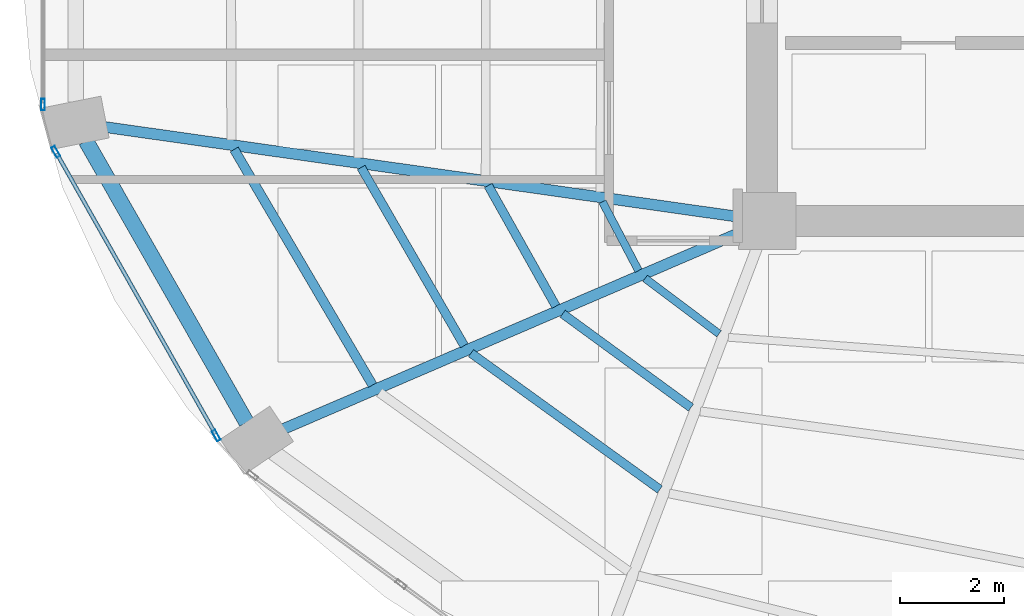
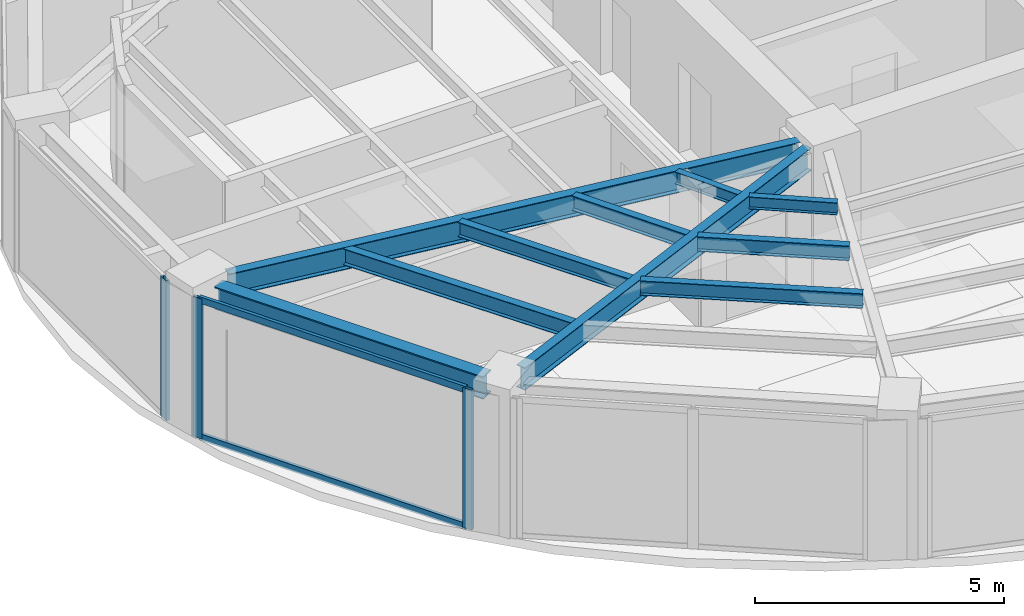
# One storey, part 3 of 20: 10 beams, 5 members, 2 elements without a shape of their own.
"""IFC4 building model written with IfcOpenShell, lengths in metres."""

from ifc_helpers import new_model, si_unit, direction, frame, origin, origin_2d, place, context, subcontext, project, spatial, hollow_rectangle, i_section, extrude, material, layer, layer_set, material_profile, profile_set, type_object, element, aggregate, save


model = new_model("IFC4")

# Units and contexts
model_context = context("Model", 3, precision=1e-05, world=origin(), true_north=direction((0.0, 1.0)))
body_context = subcontext(model_context, "Body", "Model", "MODEL_VIEW")
ifc_project = project(units=[si_unit("LENGTHUNIT", "METRE"), si_unit("AREAUNIT", "SQUARE_METRE"), si_unit("VOLUMEUNIT", "CUBIC_METRE"), si_unit("PLANEANGLEUNIT", "RADIAN"), si_unit("MASSUNIT", "GRAM", prefix="KILO")], contexts=[model_context])

# Site, building, storey
site_placement = place(None, origin())
site = spatial("IfcSite", under=ifc_project, at=site_placement, CompositionType="ELEMENT")
building_placement = place(site_placement, origin())
building = spatial("IfcBuilding", under=site, at=building_placement, Name="Lazwardi Medical Tower", CompositionType="ELEMENT")
storey_placement = place(building_placement, frame((0.0, 0.0, 178.416015625)))
storey = spatial("IfcBuildingStorey", under=building, at=storey_placement, Name="L46", CompositionType="ELEMENT", Elevation=178.416015625)

# Beams
ifc_material_1 = material(Name="Steel S355", Category="steel")
ifc_material_profile_1 = material_profile(ifc_material_1, i_section(OverallWidth=0.300048828125, OverallDepth=0.550048828125, WebThickness=0.014892578125, FlangeThickness=0.029052734375, at=origin_2d()), Name="HEB 550")
ifc_profile_set_1 = profile_set([ifc_material_profile_1], Name="Steel S355")
beam_type_1 = type_object("IfcBeamType", Name="BM-RB-Z3", PredefinedType="BEAM", material=ifc_profile_set_1)
beam_1_placement = place(storey_placement, frame((13.272216796875, 21.94091796875, 3.153076171875), z_axis=(0.495460926326, -0.868630226554, 0.0), x_axis=(0.868630226554, 0.495460926326, 0.0)))
element("IfcBeam", 1, at=beam_1_placement, inside=storey, type_object=beam_type_1, Name="Ring beam RB-04 B13 L46", PredefinedType="BEAM", context=body_context, shape_type="SweptSolid", body=[
    extrude(i_section(OverallWidth=0.300048828125, OverallDepth=0.550048828125, WebThickness=0.014892578125, FlangeThickness=0.029052734375, at=origin_2d()), origin(), (0.0, 0.0, 1.0), 6.24462890625),
])
ifc_material_profile_2 = material_profile(ifc_material_1, i_section(OverallWidth=0.2099609375, OverallDepth=0.550048828125, WebThickness=0.010986328125, FlangeThickness=0.01708984375, at=origin_2d()), Name="IPE 550")
ifc_profile_set_2 = profile_set([ifc_material_profile_2], Name="Steel S355")
beam_type_2 = type_object("IfcBeamType", Name="BM-RG-W2", PredefinedType="BEAM", material=ifc_profile_set_2)
beam_2_placement = place(storey_placement, frame((13.628662109375, 22.209716796875, 3.153076171875), z_axis=(0.99010958763, -0.140296131389, 0.0), x_axis=(0.140296131389, 0.99010958763, 0.0)))
element("IfcBeam", 2, at=beam_2_placement, inside=storey, type_object=beam_type_2, Name="Radial girder RG-03 R13 L46", PredefinedType="BEAM", context=body_context, shape_type="SweptSolid", body=[
    extrude(i_section(OverallWidth=0.2099609375, OverallDepth=0.550048828125, WebThickness=0.010986328125, FlangeThickness=0.01708984375, at=origin_2d()), origin(), (0.0, 0.0, 1.0), 12.364013671875),
])
beam_3_placement = place(storey_placement, frame((17.078857421875, 16.390380859375, 3.153076171875), z_axis=(0.918608156288, 0.395169653695, 0.0), x_axis=(-0.395169653695, 0.918608156288, 0.0)))
element("IfcBeam", 3, at=beam_3_placement, inside=storey, type_object=beam_type_2, Name="Radial girder RG-03 R14 L46", PredefinedType="BEAM", context=body_context, shape_type="SweptSolid", body=[
    extrude(i_section(OverallWidth=0.2099609375, OverallDepth=0.550048828125, WebThickness=0.010986328125, FlangeThickness=0.01708984375, at=origin_2d()), origin(), (0.0, 0.0, 1.0), 9.61181640625),
])
ifc_material_profile_3 = material_profile(ifc_material_1, i_section(OverallWidth=0.179931640625, OverallDepth=0.39990234375, WebThickness=0.008544921875, FlangeThickness=0.013427734375, at=origin_2d()), Name="IPE 400")
ifc_profile_set_3 = profile_set([ifc_material_profile_3], Name="Steel S355")
beam_type_3 = type_object("IfcBeamType", Name="BM-SJ-01", PredefinedType="JOIST", material=ifc_profile_set_3)
beam_4_placement = place(storey_placement, frame((16.127685546875, 21.776611328125, 3.22802734375), z_axis=(0.506420212881, -0.862286824662, 0.0), x_axis=(0.862286824662, 0.506420212881, 0.0)))
element("IfcBeam", 4, at=beam_4_placement, inside=storey, type_object=beam_type_3, Name="Secondary joist SJ-01 R1 B13 L46", PredefinedType="JOIST", context=body_context, shape_type="SweptSolid", body=[
    extrude(i_section(OverallWidth=0.179931640625, OverallDepth=0.39990234375, WebThickness=0.008544921875, FlangeThickness=0.013427734375, at=origin_2d()), origin(), (0.0, 0.0, 1.0), 5.265380859375),
])
ifc_material_profile_4 = material_profile(ifc_material_1, i_section(OverallWidth=0.169921875, OverallDepth=0.360107421875, WebThickness=0.008056640625, FlangeThickness=0.0126953125, at=origin_2d()), Name="IPE 360")
ifc_profile_set_4 = profile_set([ifc_material_profile_4], Name="Steel S355")
beam_type_4 = type_object("IfcBeamType", Name="BM-SJ-02", PredefinedType="JOIST", material=ifc_profile_set_4)
beam_5_placement = place(storey_placement, frame((18.5751953125, 21.42919921875, 3.248046875), z_axis=(0.500640648605, -0.865655209055, 0.0), x_axis=(0.865655209055, 0.500640648605, 0.0)))
element("IfcBeam", 5, at=beam_5_placement, inside=storey, type_object=beam_type_4, Name="Secondary joist SJ-02 R2 B13 L46", PredefinedType="JOIST", context=body_context, shape_type="SweptSolid", body=[
    extrude(i_section(OverallWidth=0.169921875, OverallDepth=0.360107421875, WebThickness=0.008056640625, FlangeThickness=0.0126953125, at=origin_2d()), origin(), (0.0, 0.0, 1.0), 3.965576171875),
])
beam_6_placement = place(storey_placement, frame((20.69189453125, 17.851318359375, 3.248046875), z_axis=(0.810738039179, -0.585409114917, 0.0), x_axis=(0.585409114917, 0.810738039179, 0.0)))
element("IfcBeam", 6, at=beam_6_placement, inside=storey, type_object=beam_type_4, Name="Secondary joist SJ-02 R2 B14 L46", PredefinedType="JOIST", context=body_context, shape_type="SweptSolid", body=[
    extrude(i_section(OverallWidth=0.169921875, OverallDepth=0.360107421875, WebThickness=0.008056640625, FlangeThickness=0.0126953125, at=origin_2d()), origin(), (0.0, 0.0, 1.0), 4.48779296875),
])
beam_7_placement = place(storey_placement, frame((21.022705078125, 21.081787109375, 3.248046875), z_axis=(0.489408945026, -0.872054404569, 0.0), x_axis=(0.872054404569, 0.489408945026, 0.0)))
element("IfcBeam", 7, at=beam_7_placement, inside=storey, type_object=beam_type_4, Name="Secondary joist SJ-02 R3 B13 L46", PredefinedType="JOIST", context=body_context, shape_type="SweptSolid", body=[
    extrude(i_section(OverallWidth=0.169921875, OverallDepth=0.360107421875, WebThickness=0.008056640625, FlangeThickness=0.0126953125, at=origin_2d()), origin(), (0.0, 0.0, 1.0), 2.666259765625),
])
beam_8_placement = place(storey_placement, frame((22.45751953125, 18.6103515625, 3.248046875), z_axis=(0.807285959008, -0.590160470033, 0.0), x_axis=(0.590160470033, 0.807285959008, 0.0)))
element("IfcBeam", 8, at=beam_8_placement, inside=storey, type_object=beam_type_4, Name="Secondary joist SJ-02 R3 B14 L46", PredefinedType="JOIST", context=body_context, shape_type="SweptSolid", body=[
    extrude(i_section(OverallWidth=0.169921875, OverallDepth=0.360107421875, WebThickness=0.008056640625, FlangeThickness=0.0126953125, at=origin_2d()), origin(), (0.0, 0.0, 1.0), 3.06298828125),
])
ifc_material_profile_5 = material_profile(ifc_material_1, i_section(OverallWidth=0.14990234375, OverallDepth=0.300048828125, WebThickness=0.007080078125, FlangeThickness=0.0107421875, at=origin_2d()), Name="IPE 300")
ifc_profile_set_5 = profile_set([ifc_material_profile_5], Name="Steel S355")
beam_type_5 = type_object("IfcBeamType", Name="BM-SJ-03", PredefinedType="JOIST", material=ifc_profile_set_5)
beam_9_placement = place(storey_placement, frame((23.2236328125, 20.768310546875, 3.278076171875), z_axis=(0.464469748171, -0.885588986513, 0.0), x_axis=(0.885588986513, 0.464469748171, 0.0)))
element("IfcBeam", 9, at=beam_9_placement, inside=storey, type_object=beam_type_5, Name="Secondary joist SJ-03 R4 B13 L46", PredefinedType="JOIST", context=body_context, shape_type="SweptSolid", body=[
    extrude(i_section(OverallWidth=0.14990234375, OverallDepth=0.300048828125, WebThickness=0.007080078125, FlangeThickness=0.0107421875, at=origin_2d()), origin(), (0.0, 0.0, 1.0), 1.498046875),
])
beam_10_placement = place(storey_placement, frame((24.0458984375, 19.29296875, 3.278076171875), z_axis=(0.799884834751, -0.600153522972, 0.0), x_axis=(0.600153522972, 0.799884834751, 0.0)))
element("IfcBeam", 10, at=beam_10_placement, inside=storey, type_object=beam_type_5, Name="Secondary joist SJ-03 R4 B14 L46", PredefinedType="JOIST", context=body_context, shape_type="SweptSolid", body=[
    extrude(i_section(OverallWidth=0.14990234375, OverallDepth=0.300048828125, WebThickness=0.007080078125, FlangeThickness=0.0107421875, at=origin_2d()), origin(), (0.0, 0.0, 1.0), 1.781005859375),
])

# Curtain wall, member
ifc_material_2 = material(Name="Anodised bronze aluminium and solar control glazing", Category="aluminium")
ifc_layer = layer(ifc_material_2, 0.195068359375)
ifc_layer_set = layer_set([ifc_layer], Name="Anodised bronze aluminium and solar control glazing")
curtain_wall_type = type_object("IfcCurtainWallType", Name="CW-SYS-03", PredefinedType="NOTDEFINED", material=ifc_layer_set)
curtain_wall_1_placement = place(storey_placement, origin())
curtain_wall_1 = element("IfcCurtainWall", 11, at=curtain_wall_1_placement, inside=storey, type_object=curtain_wall_type, Name="L46 Unitised bronze curtain wall CW-03", PredefinedType="NOTDEFINED")
ifc_material_3 = material(Name="Anodised bronze aluminium", Category="aluminium")
ifc_material_profile_6 = material_profile(ifc_material_3, hollow_rectangle(XDim=0.074951171875, YDim=0.219970703125, WallThickness=0.00390625, at=origin_2d()), Name="ALU-MULLION 220x75x4")
ifc_profile_set_6 = profile_set([ifc_material_profile_6], Name="Anodised bronze aluminium")
member_type_1 = type_object("IfcMemberType", Name="CW-MUL-01", PredefinedType="MULLION", material=ifc_profile_set_6)
member_1_placement = place(storey_placement, frame((12.4423828125, 22.64208984375, 0.0), z_axis=(0.0, 0.0, 1.0), x_axis=(1.0, 0.0, 0.0)))
member_1 = element("IfcMember", 12, at=member_1_placement, type_object=member_type_1, Name="CW-03 mullion 2", PredefinedType="MULLION", context=body_context, shape_type="SweptSolid", body=[
    extrude(hollow_rectangle(XDim=0.074951171875, YDim=0.219970703125, WallThickness=0.00390625, at=origin_2d()), origin(), (0.0, 0.0, 1.0), 3.427978515625),
])
aggregate(curtain_wall_1, [member_1])

# Curtain wall, members
curtain_wall_2_placement = place(storey_placement, origin())
curtain_wall_2 = element("IfcCurtainWall", 13, at=curtain_wall_2_placement, inside=storey, type_object=curtain_wall_type, Name="L46 Unitised bronze curtain wall CW-03", PredefinedType="NOTDEFINED")
member_2_placement = place(storey_placement, frame((12.68896484375, 21.732666015625, 0.0), z_axis=(0.0, 0.0, 1.0), x_axis=(0.870418989303, 0.492311672683, 0.0)))
member_2 = element("IfcMember", 14, at=member_2_placement, type_object=member_type_1, Name="CW-03 mullion 1", PredefinedType="MULLION", context=body_context, shape_type="SweptSolid", body=[
    extrude(hollow_rectangle(XDim=0.074951171875, YDim=0.219970703125, WallThickness=0.00390625, at=origin_2d()), origin(), (0.0, 0.0, 1.0), 3.427978515625),
])
member_3_placement = place(storey_placement, frame((15.782470703125, 16.26318359375, 0.0), z_axis=(0.0, 0.0, 1.0), x_axis=(0.870418989303, 0.492311672683, 0.0)))
member_3 = element("IfcMember", 15, at=member_3_placement, type_object=member_type_1, Name="CW-03 mullion 2", PredefinedType="MULLION", context=body_context, shape_type="SweptSolid", body=[
    extrude(hollow_rectangle(XDim=0.074951171875, YDim=0.219970703125, WallThickness=0.00390625, at=origin_2d()), origin(), (0.0, 0.0, 1.0), 3.427978515625),
])
ifc_material_profile_7 = material_profile(ifc_material_3, hollow_rectangle(XDim=0.074951171875, YDim=0.159912109375, WallThickness=0.00390625, at=origin_2d()), Name="ALU-TRANSOM 160x75x4")
ifc_profile_set_7 = profile_set([ifc_material_profile_7], Name="Anodised bronze aluminium")
member_type_2 = type_object("IfcMemberType", Name="CW-TRN-01", PredefinedType="USERDEFINED", material=ifc_profile_set_7)
member_4_placement = place(storey_placement, frame((12.707275390625, 21.7001953125, 0.03759765625), z_axis=(0.492306010269, -0.870422191958, 0.0), x_axis=(0.870422191958, 0.492306010269, 0.0)))
member_4 = element("IfcMember", 16, at=member_4_placement, type_object=member_type_2, Name="CW-03 transom 1.1", ObjectType="TRANSOM", PredefinedType="USERDEFINED", context=body_context, shape_type="SweptSolid", body=[
    extrude(hollow_rectangle(XDim=0.074951171875, YDim=0.159912109375, WallThickness=0.00390625, at=origin_2d()), origin(), (0.0, 0.0, 1.0), 6.208740234375),
])
member_5_placement = place(storey_placement, frame((12.707275390625, 21.7001953125, 3.390380859375), z_axis=(0.492306010269, -0.870422191958, 0.0), x_axis=(0.870422191958, 0.492306010269, 0.0)))
member_5 = element("IfcMember", 17, at=member_5_placement, type_object=member_type_2, Name="CW-03 transom 1.2", ObjectType="TRANSOM", PredefinedType="USERDEFINED", context=body_context, shape_type="SweptSolid", body=[
    extrude(hollow_rectangle(XDim=0.074951171875, YDim=0.159912109375, WallThickness=0.00390625, at=origin_2d()), origin(), (0.0, 0.0, 1.0), 6.208740234375),
])
aggregate(curtain_wall_2, [member_2, member_3, member_4, member_5])

save(model, "model.ifc")
